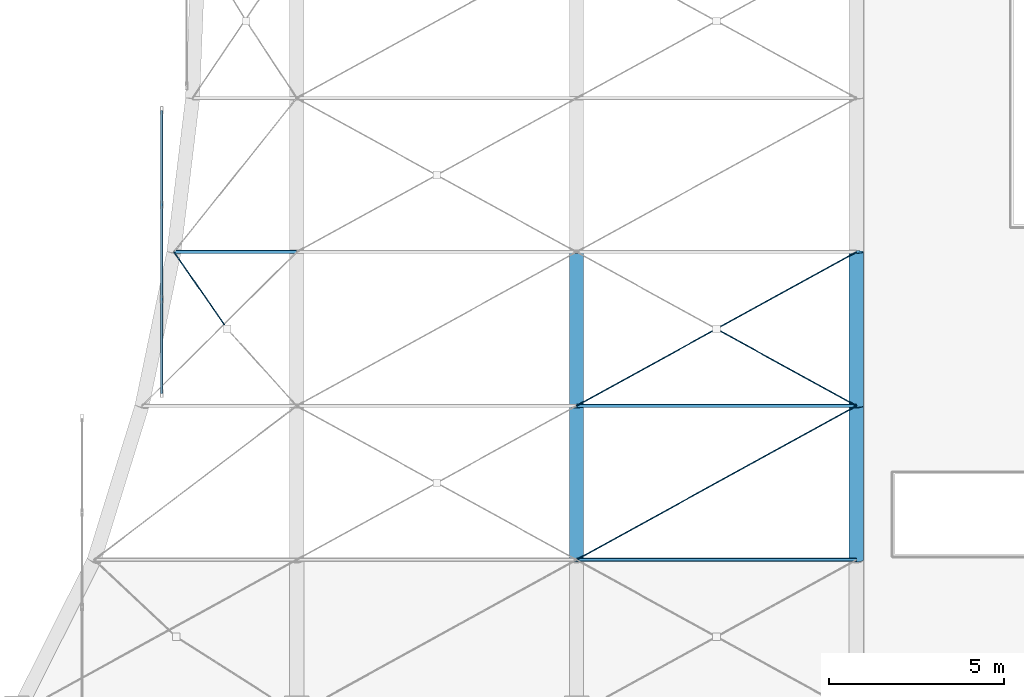
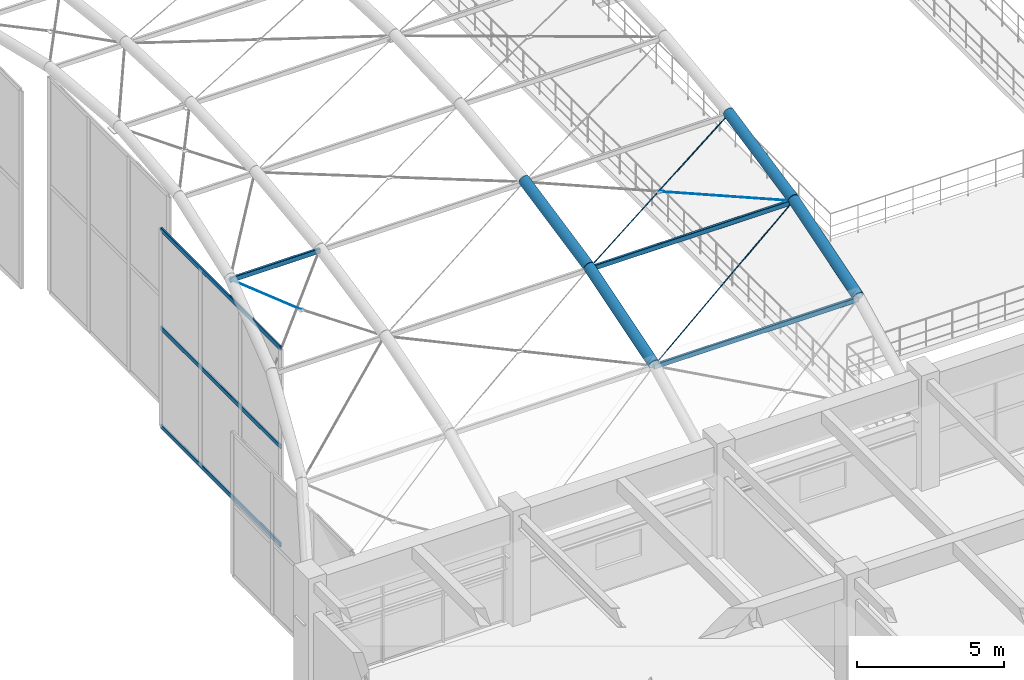
# One storey, part 13 of 144: 7 beams, 7 members, 1 element without a shape of its own.
"""IFC4 building model written with IfcOpenShell, lengths in metres."""

import ifcopenshell
import ifcopenshell.guid

model = None  # the IFC model being written
_history = None  # IfcOwnerHistory: only IFC2X3 demands one
_inside = {}  # id of a spatial element -> (the spatial element, [elements in it])
_under = {}  # id of a project, library or spatial element -> (it, [spatial elements below it])
_declared = {}  # id of a project -> (the project, [libraries it declares])
_typed = {}  # id of a type object -> (the type object, [elements of that type])
_made_of = {}  # id of a material, layer set ... -> (it, [elements and type objects made of it])


def new_model(schema):
    """Start an empty IFC model of exactly this schema.

    Asked for "IFC4X3", IfcOpenShell would pick the latest addendum, in which some entities
    have other attributes; the version numbers below select the first issue.
    IFC2X3 requires an IfcOwnerHistory on every rooted entity: one is made here for all.
    """
    global model, _history
    if schema == "IFC4X3":
        model = ifcopenshell.file(schema_version=(4, 3, 0, 0))
    else:
        model = ifcopenshell.file(schema=schema)
    _inside.clear()
    _under.clear()
    _declared.clear()
    _typed.clear()
    _made_of.clear()
    _history = None
    if model.schema == "IFC2X3":
        org = make("IfcOrganization", Name="unknown")
        user = make(
            "IfcPersonAndOrganization",
            ThePerson=make("IfcPerson", FamilyName="unknown"),
            TheOrganization=org,
        )
        app = make(
            "IfcApplication",
            ApplicationDeveloper=org,
            Version="unknown",
            ApplicationFullName="unknown",
            ApplicationIdentifier="unknown",
        )
        _history = make(
            "IfcOwnerHistory",
            OwningUser=user,
            OwningApplication=app,
            ChangeAction="ADDED",
            CreationDate=0,
        )
    return model


def make(cls, **values):
    """One entity of the class cls with the attributes given. An attribute that is None is left unset."""
    return model.create_entity(
        cls, **{name: value for name, value in values.items() if value is not None}
    )


def rooted(cls, **values):
    """An entity with a GlobalId (a new one), such as an element, a storey or a relation."""
    return make(cls, GlobalId=ifcopenshell.guid.new(), OwnerHistory=_history, **values)


def si_unit(unit_type, name, prefix=None):
    """IfcSIUnit, for example si_unit("LENGTHUNIT", "METRE", prefix="MILLI")."""
    return make("IfcSIUnit", UnitType=unit_type, Prefix=prefix, Name=name)


def assignment(units):
    """IfcUnitAssignment: the units of a project."""
    return None if units is None else make("IfcUnitAssignment", Units=units)


def point(xyz):
    """IfcCartesianPoint."""
    return None if xyz is None else make("IfcCartesianPoint", Coordinates=xyz)


def direction(xyz):
    """IfcDirection."""
    return None if xyz is None else make("IfcDirection", DirectionRatios=xyz)


def frame(location, z_axis=None, x_axis=None):
    """IfcAxis2Placement3D, a coordinate frame: its origin and axes. An axis left out is left unset."""
    return make(
        "IfcAxis2Placement3D",
        Location=point(location),
        Axis=direction(z_axis),
        RefDirection=direction(x_axis),
    )


def frame_2d(location, x_axis=None):
    """IfcAxis2Placement2D, a coordinate frame in the plane: its origin and x axis."""
    return make(
        "IfcAxis2Placement2D", Location=point(location), RefDirection=direction(x_axis)
    )


def origin():
    """The frame at (0, 0, 0) with its axes left unset."""
    return frame((0.0, 0.0, 0.0))


def origin_2d():
    """The frame at (0, 0) in the plane with its x axis left unset."""
    return frame_2d((0.0, 0.0))


def place(relative_to, where):
    """IfcLocalPlacement: puts the frame where relative to a parent placement (None: the world)."""
    return make(
        "IfcLocalPlacement", PlacementRelTo=relative_to, RelativePlacement=where
    )


def context(
    kind, dimensions, precision=None, world=None, true_north=None, identifier=None
):
    """IfcGeometricRepresentationContext, for example the 3D "Model" context."""
    return make(
        "IfcGeometricRepresentationContext",
        ContextIdentifier=identifier,
        ContextType=kind,
        CoordinateSpaceDimension=dimensions,
        Precision=precision,
        WorldCoordinateSystem=world,
        TrueNorth=true_north,
    )


def subcontext(parent, identifier, kind, view, scale=None):
    """IfcGeometricRepresentationSubContext, for example "Body" below "Model"."""
    return make(
        "IfcGeometricRepresentationSubContext",
        ContextIdentifier=identifier,
        ContextType=kind,
        ParentContext=parent,
        TargetScale=scale,
        TargetView=view,
    )


def project(units=None, contexts=None):
    """IfcProject with its units and contexts."""
    return rooted(
        "IfcProject",
        Name="project",
        RepresentationContexts=contexts,
        UnitsInContext=assignment(units),
    )


def spatial(cls, under=None, at=None, **own):
    """A site, building, storey or space (cls), placed at a placement, below another one or the project."""
    s = rooted(cls, ObjectPlacement=at, **own)
    if under is not None:
        _under.setdefault(under.id(), (under, []))[1].append(s)
    return s


def profile(cls, at=None, kind="AREA", **sizes):
    """A parametric profile (cls). Its sizes go by their IFC names, for example OverallWidth=200.0."""
    return make(cls, ProfileType=kind, Position=at, **sizes)


def hollow_rectangle(**sizes):
    """IfcRectangleHollowProfileDef."""
    return profile("IfcRectangleHollowProfileDef", **sizes)


def circle(**sizes):
    """IfcCircleProfileDef."""
    return profile("IfcCircleProfileDef", **sizes)


def hollow_circle(**sizes):
    """IfcCircleHollowProfileDef."""
    return profile("IfcCircleHollowProfileDef", **sizes)


def extrude(swept, where, along, depth):
    """IfcExtrudedAreaSolid: the profile swept, set in the frame where, extruded along a direction by depth."""
    return make(
        "IfcExtrudedAreaSolid",
        SweptArea=swept,
        Position=where,
        ExtrudedDirection=direction(along),
        Depth=depth,
    )


def shape(context_of_items, identifier, shape_type, items):
    """IfcShapeRepresentation: the items that make up one representation, for example the "Body"."""
    return make(
        "IfcShapeRepresentation",
        ContextOfItems=context_of_items,
        RepresentationIdentifier=identifier,
        RepresentationType=shape_type,
        Items=items,
    )


def material(Name=None, Category=None):
    """IfcMaterial."""
    return make("IfcMaterial", Name=Name, Category=Category)


def material_profile(
    of_material, cross_section, Name=None, Category=None, Priority=None
):
    """IfcMaterialProfile: a cross section and its material."""
    return make(
        "IfcMaterialProfile",
        Name=Name,
        Material=of_material,
        Profile=cross_section,
        Priority=Priority,
        Category=Category,
    )


def profile_set(profiles, Name=None, composite=None):
    """IfcMaterialProfileSet."""
    return make(
        "IfcMaterialProfileSet",
        Name=Name,
        MaterialProfiles=profiles,
        CompositeProfile=composite,
    )


def made_of(thing, what):
    """Note that an element or type object is made of a material, layer set ...; save() writes the relation."""
    if what is not None:
        _made_of.setdefault(what.id(), (what, []))[1].append(thing)
    return thing


def type_object(cls, material=None, **own):
    """A type object (cls), such as IfcWallType, which elements share."""
    return made_of(rooted(cls, **own), material)


def element(
    cls,
    number,
    at=None,
    inside=None,
    cuts=None,
    type_object=None,
    material=None,
    context=None,
    identifier="Body",
    shape_type=None,
    held_by="IfcProductDefinitionShape",
    body=None,
    shapes=None,
    **own,
):
    """One element of the class cls, such as IfcWall. Its Tag is "e" and its number.

    at: its placement. inside: the storey or other place that contains it. cuts: it is an
    opening in that element (IfcRelVoidsElement). A single representation is given by context,
    identifier, shape_type and body (its items); several are given by shapes. held_by: the class
    of the entity that holds the representations. save() writes the other relations.
    """
    e = rooted(cls, Tag="e%d" % number, ObjectPlacement=at, **own)
    if body is not None:
        shapes = [shape(context, identifier, shape_type, body)]
    if shapes is not None:
        e.Representation = make(held_by, Representations=shapes)
    if inside is not None:
        _inside.setdefault(inside.id(), (inside, []))[1].append(e)
    if cuts is not None:
        rooted(
            "IfcRelVoidsElement", RelatingBuildingElement=cuts, RelatedOpeningElement=e
        )
    if type_object is not None:
        _typed.setdefault(type_object.id(), (type_object, []))[1].append(e)
    return made_of(e, material)


def aggregate(whole, parts):
    """IfcRelAggregates: a whole, such as a stair, and the parts it consists of."""
    return rooted("IfcRelAggregates", RelatingObject=whole, RelatedObjects=parts)


def save(model, path):
    """Write the relations noted so far, then the file.

    IfcRelAggregates (storeys below a building ...), IfcRelContainedInSpatialStructure (elements
    in a storey), IfcRelDefinesByType, IfcRelAssociatesMaterial and IfcRelDeclares: one each for
    every whole, place, type object, material and project.
    """
    for whole, parts in _under.values():
        aggregate(whole, parts)
    for where, things in _inside.values():
        rooted(
            "IfcRelContainedInSpatialStructure",
            RelatedElements=things,
            RelatingStructure=where,
        )
    for kind, things in _typed.values():
        rooted("IfcRelDefinesByType", RelatedObjects=things, RelatingType=kind)
    for what, things in _made_of.values():
        rooted("IfcRelAssociatesMaterial", RelatedObjects=things, RelatingMaterial=what)
    for by, libraries in _declared.values():
        rooted("IfcRelDeclares", RelatingContext=by, RelatedDefinitions=libraries)
    model.write(path)


model = new_model("IFC4")

# Units and contexts
model_context = context("Model", 3, precision=1e-05, world=origin(), true_north=direction((0.0, 1.0)))
body_context = subcontext(model_context, "Body", "Model", "MODEL_VIEW")
ifc_project = project(units=[si_unit("LENGTHUNIT", "METRE"), si_unit("AREAUNIT", "SQUARE_METRE"), si_unit("VOLUMEUNIT", "CUBIC_METRE"), si_unit("PLANEANGLEUNIT", "RADIAN"), si_unit("MASSUNIT", "GRAM", prefix="KILO")], contexts=[model_context])

# Site, building, storey
site_placement = place(None, origin())
site = spatial("IfcSite", under=ifc_project, at=site_placement, CompositionType="ELEMENT")
building_placement = place(site_placement, origin())
building = spatial("IfcBuilding", under=site, at=building_placement, Name="Varnabhumi Central Station", CompositionType="ELEMENT")
storey_placement = place(building_placement, frame((0.0, 0.0, 4.800048828125)))
storey = spatial("IfcBuildingStorey", under=building, at=storey_placement, Name="L01", CompositionType="ELEMENT", Elevation=4.800048828125)

# Beams
ifc_material_1 = material(Name="Structural steel E350", Category="steel")
ifc_material_profile_1 = material_profile(ifc_material_1, hollow_circle(Radius=0.203125, WallThickness=0.01611328125, at=origin_2d()), Name="Structural steel E350", Category="steel")
ifc_profile_set_1 = profile_set([ifc_material_profile_1], Name="Structural steel E350")
beam_type_1 = type_object("IfcBeamType", Name="BM-ARCH-CHS406", PredefinedType="BEAM", material=ifc_profile_set_1)
beam_1_placement = place(storey_placement, frame((16.0, 40.39990234375, 5.013916015625), z_axis=(0.0, 0.95520423062, 0.295947424057), x_axis=(-1.0, 0.0, 0.0)))
element("IfcBeam", 1, at=beam_1_placement, inside=storey, type_object=beam_type_1, Name="Forecourt Arrival Canopy Vault Arch Rib 3 Seg 2", PredefinedType="BEAM", context=body_context, shape_type="SweptSolid", body=[
    extrude(hollow_circle(Radius=0.203125, WallThickness=0.01611328125, at=origin_2d()), origin(), (0.0, 0.0, 1.0), 4.6064453125),
])
beam_2_placement = place(storey_placement, frame((16.0, 44.800048828125, 6.377197265625), z_axis=(0.0, 0.979095067091, 0.20340317008), x_axis=(-1.0, 0.0, 0.0)))
element("IfcBeam", 2, at=beam_2_placement, inside=storey, type_object=beam_type_1, Name="Forecourt Arrival Canopy Vault Arch Rib 3 Seg 3", PredefinedType="BEAM", context=body_context, shape_type="SweptSolid", body=[
    extrude(hollow_circle(Radius=0.203125, WallThickness=0.01611328125, at=origin_2d()), origin(), (0.0, 0.0, 1.0), 4.493896484375),
])
beam_3_placement = place(storey_placement, frame((24.0, 40.39990234375, 5.013916015625), z_axis=(0.0, 0.95520423062, 0.295947424057), x_axis=(-1.0, 0.0, 0.0)))
element("IfcBeam", 3, at=beam_3_placement, inside=storey, type_object=beam_type_1, Name="Forecourt Arrival Canopy Vault Arch Rib 4 Seg 2", PredefinedType="BEAM", context=body_context, shape_type="SweptSolid", body=[
    extrude(hollow_circle(Radius=0.203125, WallThickness=0.01611328125, at=origin_2d()), origin(), (0.0, 0.0, 1.0), 4.6064453125),
])
beam_4_placement = place(storey_placement, frame((24.0, 44.800048828125, 6.377197265625), z_axis=(0.0, 0.979095067091, 0.20340317008), x_axis=(-1.0, 0.0, 0.0)))
element("IfcBeam", 4, at=beam_4_placement, inside=storey, type_object=beam_type_1, Name="Forecourt Arrival Canopy Vault Arch Rib 4 Seg 3", PredefinedType="BEAM", context=body_context, shape_type="SweptSolid", body=[
    extrude(hollow_circle(Radius=0.203125, WallThickness=0.01611328125, at=origin_2d()), origin(), (0.0, 0.0, 1.0), 4.493896484375),
])
ifc_material_profile_2 = material_profile(ifc_material_1, hollow_rectangle(XDim=0.10009765625, YDim=0.199951171875, WallThickness=0.008056640625, InnerFilletRadius=0.008056640625, OuterFilletRadius=0.01611328125, at=origin_2d()), Name="Structural steel E350", Category="steel")
ifc_profile_set_2 = profile_set([ifc_material_profile_2], Name="Structural steel E350")
beam_type_2 = type_object("IfcBeamType", Name="BM-PUR-RHS200", PredefinedType="JOIST", material=ifc_profile_set_2)
beam_5_placement = place(storey_placement, frame((4.491455078125, 49.199951171875, 7.19140625), z_axis=(1.0, 0.0, 0.0), x_axis=(0.0, 1.0, 0.0)))
element("IfcBeam", 5, at=beam_5_placement, inside=storey, type_object=beam_type_2, Name="Forecourt Arrival Canopy Vault Purlin B1-L3", PredefinedType="JOIST", context=body_context, shape_type="SweptSolid", body=[
    extrude(hollow_rectangle(XDim=0.10009765625, YDim=0.199951171875, WallThickness=0.008056640625, InnerFilletRadius=0.008056640625, OuterFilletRadius=0.01611328125, at=origin_2d()), origin(), (0.0, 0.0, 1.0), 3.508544921875),
])
for number, where, z_axis, x_axis, name in (
    (6, (16.0, 40.39990234375, 4.913818359375), (1.0, 0.0, 0.0), (0.0, 1.0, 0.0), "Forecourt Arrival Canopy Vault Purlin B3-L1"),
    (7, (16.0, 44.800048828125, 6.27734375), (1.0, 0.0, 0.0), (0.0, 1.0, 0.0), "Forecourt Arrival Canopy Vault Purlin B3-L2"),
):
    element("IfcBeam", number, at=place(storey_placement, frame(where, z_axis=z_axis, x_axis=x_axis)), inside=storey, type_object=beam_type_2, Name=name, PredefinedType="JOIST", context=body_context, shape_type="SweptSolid", body=[
        extrude(hollow_rectangle(XDim=0.10009765625, YDim=0.199951171875, WallThickness=0.008056640625, InnerFilletRadius=0.008056640625, OuterFilletRadius=0.01611328125, at=origin_2d()), origin(), (0.0, 0.0, 1.0), 8.0),
    ])

# Curtain wall, members
ifc_material_2 = material(Name="Anodised aluminium 6063-T6", Category="aluminium")
curtain_wall_type = type_object("IfcCurtainWallType", Name="CW-VAULT-ARCH-V1", PredefinedType="NOTDEFINED", material=ifc_material_2)
curtain_wall_placement = place(storey_placement, origin())
curtain_wall = element("IfcCurtainWall", 8, at=curtain_wall_placement, inside=storey, type_object=curtain_wall_type, Name="Curtain Wall CW-V12", PredefinedType="NOTDEFINED")
ifc_material_profile_3 = material_profile(ifc_material_2, hollow_rectangle(XDim=0.06494140625, YDim=0.179931640625, WallThickness=0.00390625, InnerFilletRadius=0.001953125, OuterFilletRadius=0.006103515625, at=origin_2d()), Name="Anodised aluminium 6063-T6", Category="aluminium")
ifc_profile_set_3 = profile_set([ifc_material_profile_3], Name="Anodised aluminium 6063-T6")
member_type_1 = type_object("IfcMemberType", Name="CW-TR-180", PredefinedType="USERDEFINED", material=ifc_profile_set_3)
member_1_placement = place(storey_placement, frame((4.14111328125, 45.14990234375, -1.199951171875), z_axis=(0.0, 1.0, 0.0), x_axis=(-1.0, 0.0, 0.0)))
member_1 = element("IfcMember", 9, at=member_1_placement, type_object=member_type_1, Name="Curtain Wall Transom CW-V12-T1", ObjectType="TRANSOM", PredefinedType="USERDEFINED", context=body_context, shape_type="SweptSolid", body=[
    extrude(hollow_rectangle(XDim=0.06494140625, YDim=0.179931640625, WallThickness=0.00390625, InnerFilletRadius=0.001953125, OuterFilletRadius=0.006103515625, at=origin_2d()), origin(), (0.0, 0.0, 1.0), 8.10009765625),
])
member_2_placement = place(storey_placement, frame((4.14111328125, 45.14990234375, 2.87060546875), z_axis=(0.0, 1.0, 0.0), x_axis=(-1.0, 0.0, 0.0)))
member_2 = element("IfcMember", 10, at=member_2_placement, type_object=member_type_1, Name="Curtain Wall Transom CW-V12-T2", ObjectType="TRANSOM", PredefinedType="USERDEFINED", context=body_context, shape_type="SweptSolid", body=[
    extrude(hollow_rectangle(XDim=0.06494140625, YDim=0.179931640625, WallThickness=0.00390625, InnerFilletRadius=0.001953125, OuterFilletRadius=0.006103515625, at=origin_2d()), origin(), (0.0, 0.0, 1.0), 8.10009765625),
])
member_3_placement = place(storey_placement, frame((4.14111328125, 45.14990234375, 6.94140625), z_axis=(0.0, 1.0, 0.0), x_axis=(-1.0, 0.0, 0.0)))
member_3 = element("IfcMember", 11, at=member_3_placement, type_object=member_type_1, Name="Curtain Wall Transom CW-V12-T3", ObjectType="TRANSOM", PredefinedType="USERDEFINED", context=body_context, shape_type="SweptSolid", body=[
    extrude(hollow_rectangle(XDim=0.06494140625, YDim=0.179931640625, WallThickness=0.00390625, InnerFilletRadius=0.001953125, OuterFilletRadius=0.006103515625, at=origin_2d()), origin(), (0.0, 0.0, 1.0), 8.10009765625),
])
aggregate(curtain_wall, [member_1, member_2, member_3])

# Members
ifc_material_3 = material(Name="Spiral-strand steel S1570", Category="steel")
ifc_material_profile_4 = material_profile(ifc_material_3, circle(Radius=0.013916015625, at=origin_2d()), Name="Spiral-strand steel S1570", Category="steel")
ifc_profile_set_4 = profile_set([ifc_material_profile_4], Name="Spiral-strand steel S1570")
member_type_2 = type_object("IfcMemberType", Name="MBR-CABLE-D28", PredefinedType="USERDEFINED", material=ifc_profile_set_4)
member_4_placement = place(storey_placement, frame((4.491455078125, 49.199951171875, 7.21142578125), z_axis=(0.561737637698, -0.810020459801, -0.168278581816), x_axis=(0.821738885077, 0.569864198518, 0.0)))
element("IfcMember", 12, at=member_4_placement, inside=storey, type_object=member_type_2, Name="Forecourt Arrival Canopy Vault Cable-Net Split Tie B1-P3B1", ObjectType="TENSION CABLE", PredefinedType="USERDEFINED", context=body_context, shape_type="SweptSolid", body=[
    extrude(circle(Radius=0.013916015625, at=origin_2d()), origin(), (0.0, 0.0, 1.0), 2.7158203125),
])
member_5_placement = place(storey_placement, frame((16.0, 40.39990234375, 4.933837890625), z_axis=(0.866598577949, 0.476645085766, 0.147703645564), x_axis=(-0.481931067474, 0.876209133828, 0.0)))
element("IfcMember", 13, at=member_5_placement, inside=storey, type_object=member_type_2, Name="Forecourt Arrival Canopy Vault Cable-Net Tie B3-P2A", ObjectType="TENSION CABLE", PredefinedType="USERDEFINED", context=body_context, shape_type="SweptSolid", body=[
    extrude(circle(Radius=0.013916015625, at=origin_2d()), origin(), (0.0, 0.0, 1.0), 9.2314453125),
])
member_6_placement = place(storey_placement, frame((16.0, 44.800048828125, 6.29736328125), z_axis=(0.871861974597, 0.479513443182, 0.099617042019), x_axis=(-0.481910537812, 0.876220425204, 0.0)))
element("IfcMember", 14, at=member_6_placement, inside=storey, type_object=member_type_2, Name="Forecourt Arrival Canopy Vault Cable-Net Tie B3-P3A", ObjectType="TENSION CABLE", PredefinedType="USERDEFINED", context=body_context, shape_type="SweptSolid", body=[
    extrude(circle(Radius=0.013916015625, at=origin_2d()), origin(), (0.0, 0.0, 1.0), 9.17578125),
])
member_7_placement = place(storey_placement, frame((20.0, 47.0, 6.75439453125), z_axis=(0.871861974597, -0.479513443182, -0.099617042019), x_axis=(0.481910537812, 0.876220425204, 0.0)))
element("IfcMember", 15, at=member_7_placement, inside=storey, type_object=member_type_2, Name="Forecourt Arrival Canopy Vault Cable-Net Split Tie B3-P3B2", ObjectType="TENSION CABLE", PredefinedType="USERDEFINED", context=body_context, shape_type="SweptSolid", body=[
    extrude(circle(Radius=0.013916015625, at=origin_2d()), origin(), (0.0, 0.0, 1.0), 4.587890625),
])

save(model, "model.ifc")
